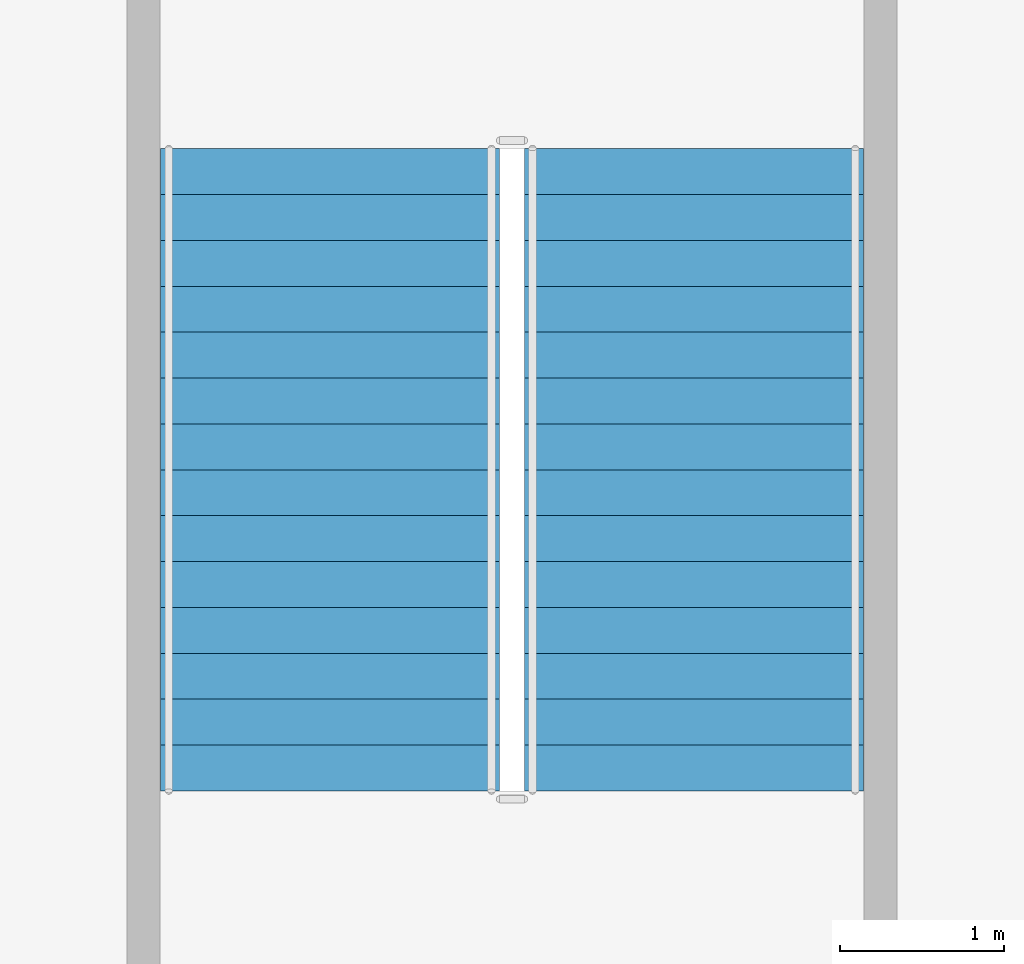
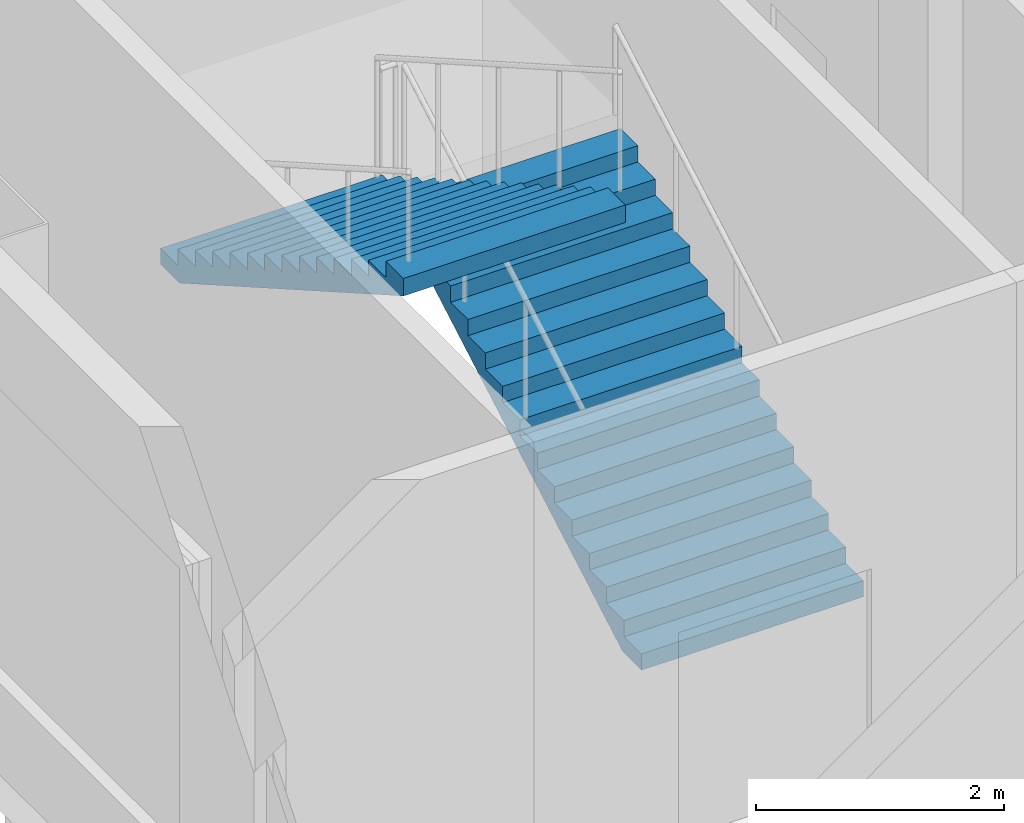
# One storey, part 15 of 23: 2 stair flights, 1 element without a shape of its own.
"""IFC4 building model written with IfcOpenShell, lengths in metres."""

from ifc_helpers import new_model, si_unit, direction, frame, origin, place, context, subcontext, project, spatial, polygons, material, type_object, element, aggregate, save


model = new_model("IFC4")

# Units and contexts
model_context = context("Model", 3, precision=1e-05, world=origin(), true_north=direction((0.0, 1.0)))
body_context = subcontext(model_context, "Body", "Model", "MODEL_VIEW")
ifc_project = project(units=[si_unit("LENGTHUNIT", "METRE"), si_unit("AREAUNIT", "SQUARE_METRE"), si_unit("VOLUMEUNIT", "CUBIC_METRE"), si_unit("PLANEANGLEUNIT", "RADIAN"), si_unit("MASSUNIT", "GRAM", prefix="KILO")], contexts=[model_context])

# Site, building, storey
site_placement = place(None, origin())
site = spatial("IfcSite", under=ifc_project, at=site_placement, CompositionType="ELEMENT")
building_placement = place(site_placement, origin())
building = spatial("IfcBuilding", under=site, at=building_placement, Name="Caravel Reach Hotel and Residences", CompositionType="ELEMENT")
storey_placement = place(building_placement, frame((0.0, 0.0, 24.0)))
storey = spatial("IfcBuildingStorey", under=building, at=storey_placement, Name="L04", CompositionType="ELEMENT", Elevation=24.0)

# Stair, stair flights
ifc_material_1 = material(Name="Concrete C40", Category="concrete")
stair_type = type_object("IfcStairType", Name="Core stair", PredefinedType="HALF_TURN_STAIR", material=ifc_material_1)
stair_placement = place(storey_placement, origin())
stair = element("IfcStair", 1, at=stair_placement, inside=storey, type_object=stair_type, Name="L04 Exit stair P5", PredefinedType="HALF_TURN_STAIR")
ifc_material_2 = material(Name="Concrete C40", Category="concrete")
stair_flight_type = type_object("IfcStairFlightType", Name="Core stair flight", PredefinedType="STRAIGHT", material=ifc_material_2)
stair_flight_1_placement = place(storey_placement, frame((1.360107421875, 42.68994140625, 0.0), z_axis=(0.0, 0.0, 1.0), x_axis=(0.0, 1.0, 0.0)))
stair_flight_1 = element("IfcStairFlight", 2, at=stair_flight_1_placement, type_object=stair_flight_type, Name="ST-P5 flight 1", NumberOfRisers=15, NumberOfTreads=14, PredefinedType="STRAIGHT", RiserHeight=0.16, TreadLength=0.28, context=body_context, shape_type="Tessellation", body=[
    polygons([(0.30213783309663755, 1.0350341796875, 0.0), (0.30213783309663755, 0.6900227864583333, 0.0), (0.30213783309663755, 0.34501139322916663, 0.0), (0.30213783309663755, 0.0, 0.0), (0.30213783309663755, -0.34501139322916674, 0.0), (0.30213783309663755, -0.6900227864583333, 0.0), (0.30213783309663755, -1.0350341796875, 0.0), (3.9210000000000003, 1.0350341796875, 2.0673498096590643), (3.9210000000000003, 0.6900227864583333, 2.0673498096590643), (3.9210000000000003, 0.34501139322916663, 2.0673498096590643), (3.9210000000000003, 0.0, 2.0673498096590643), (3.9210000000000003, -0.34501139322916674, 2.0673498096590643), (3.9210000000000003, -0.6900227864583333, 2.0673498096590643), (3.9210000000000003, -1.0350341796875, 2.0673498096590643), (3.9210000000000003, 1.0350341796875, 2.24), (3.9210000000000003, 0.6900227864583333, 2.24), (3.9210000000000003, 0.34501139322916663, 2.24), (3.9210000000000003, 0.0, 2.24), (3.9210000000000003, -0.34501139322916674, 2.24), (3.9210000000000003, -0.6900227864583333, 2.24), (3.9210000000000003, -1.0350341796875, 2.24), (3.6400000000000006, 1.0350341796875, 2.24), (3.6400000000000006, 0.6900227864583333, 2.24), (3.6400000000000006, 0.34501139322916663, 2.24), (3.6400000000000006, 0.0, 2.24), (3.6400000000000006, -0.34501139322916674, 2.24), (3.6400000000000006, -0.6900227864583333, 2.24), (3.6400000000000006, -1.0350341796875, 2.24), (3.6400000000000006, 1.0350341796875, 2.08), (3.6400000000000006, 0.6900227864583333, 2.08), (3.6400000000000006, 0.34501139322916663, 2.08), (3.6400000000000006, 0.0, 2.08), (3.6400000000000006, -0.34501139322916674, 2.08), (3.6400000000000006, -0.6900227864583333, 2.08), (3.6400000000000006, -1.0350341796875, 2.08), (3.3600000000000003, 1.0350341796875, 2.08), (3.3600000000000003, 0.6900227864583333, 2.08), (3.3600000000000003, 0.34501139322916663, 2.08), (3.3600000000000003, 0.0, 2.08), (3.3600000000000003, -0.34501139322916674, 2.08), (3.3600000000000003, -0.6900227864583333, 2.08), (3.3600000000000003, -1.0350341796875, 2.08), (3.3600000000000003, 1.0350341796875, 1.92), (3.3600000000000003, 0.6900227864583333, 1.92), (3.3600000000000003, 0.34501139322916663, 1.92), (3.3600000000000003, 0.0, 1.92), (3.3600000000000003, -0.34501139322916674, 1.92), (3.3600000000000003, -0.6900227864583333, 1.92), (3.3600000000000003, -1.0350341796875, 1.92), (3.08, 1.0350341796875, 1.92), (3.08, 0.6900227864583333, 1.92), (3.08, 0.34501139322916663, 1.92), (3.08, 0.0, 1.92), (3.08, -0.34501139322916674, 1.92), (3.08, -0.6900227864583333, 1.92), (3.08, -1.0350341796875, 1.92), (3.08, 1.0350341796875, 1.76), (3.08, 0.6900227864583333, 1.76), (3.08, 0.34501139322916663, 1.76), (3.08, 0.0, 1.76), (3.08, -0.34501139322916674, 1.76), (3.08, -0.6900227864583333, 1.76), (3.08, -1.0350341796875, 1.76), (2.8000000000000003, 1.0350341796875, 1.76), (2.8000000000000003, 0.6900227864583333, 1.76), (2.8000000000000003, 0.34501139322916663, 1.76), (2.8000000000000003, 0.0, 1.76), (2.8000000000000003, -0.34501139322916674, 1.76), (2.8000000000000003, -0.6900227864583333, 1.76), (2.8000000000000003, -1.0350341796875, 1.76), (2.8000000000000003, 1.0350341796875, 1.6), (2.8000000000000003, 0.6900227864583333, 1.6), (2.8000000000000003, 0.34501139322916663, 1.6), (2.8000000000000003, 0.0, 1.6), (2.8000000000000003, -0.34501139322916674, 1.6), (2.8000000000000003, -0.6900227864583333, 1.6), (2.8000000000000003, -1.0350341796875, 1.6), (2.5200000000000005, 1.0350341796875, 1.6), (2.5200000000000005, 0.6900227864583333, 1.6), (2.5200000000000005, 0.34501139322916663, 1.6), (2.5200000000000005, 0.0, 1.6), (2.5200000000000005, -0.34501139322916674, 1.6), (2.5200000000000005, -0.6900227864583333, 1.6), (2.5200000000000005, -1.0350341796875, 1.6), (2.5200000000000005, 1.0350341796875, 1.44), (2.5200000000000005, 0.6900227864583333, 1.44), (2.5200000000000005, 0.34501139322916663, 1.44), (2.5200000000000005, 0.0, 1.44), (2.5200000000000005, -0.34501139322916674, 1.44), (2.5200000000000005, -0.6900227864583333, 1.44), (2.5200000000000005, -1.0350341796875, 1.44), (2.24, 1.0350341796875, 1.44), (2.24, 0.6900227864583333, 1.44), (2.24, 0.34501139322916663, 1.44), (2.24, 0.0, 1.44), (2.24, -0.34501139322916674, 1.44), (2.24, -0.6900227864583333, 1.44), (2.24, -1.0350341796875, 1.44), (2.24, 1.0350341796875, 1.28), (2.24, 0.6900227864583333, 1.28), (2.24, 0.34501139322916663, 1.28), (2.24, 0.0, 1.28), (2.24, -0.34501139322916674, 1.28), (2.24, -0.6900227864583333, 1.28), (2.24, -1.0350341796875, 1.28), (1.9600000000000002, 1.0350341796875, 1.28), (1.9600000000000002, 0.6900227864583333, 1.28), (1.9600000000000002, 0.34501139322916663, 1.28), (1.9600000000000002, 0.0, 1.28), (1.9600000000000002, -0.34501139322916674, 1.28), (1.9600000000000002, -0.6900227864583333, 1.28), (1.9600000000000002, -1.0350341796875, 1.28), (1.9600000000000002, 1.0350341796875, 1.12), (1.9600000000000002, 0.6900227864583333, 1.12), (1.9600000000000002, 0.34501139322916663, 1.12), (1.9600000000000002, 0.0, 1.12), (1.9600000000000002, -0.34501139322916674, 1.12), (1.9600000000000002, -0.6900227864583333, 1.12), (1.9600000000000002, -1.0350341796875, 1.12), (1.6800000000000002, 1.0350341796875, 1.12), (1.6800000000000002, 0.6900227864583333, 1.12), (1.6800000000000002, 0.34501139322916663, 1.12), (1.6800000000000002, 0.0, 1.12), (1.6800000000000002, -0.34501139322916674, 1.12), (1.6800000000000002, -0.6900227864583333, 1.12), (1.6800000000000002, -1.0350341796875, 1.12), (1.6800000000000002, 1.0350341796875, 0.96), (1.6800000000000002, 0.6900227864583333, 0.96), (1.6800000000000002, 0.34501139322916663, 0.96), (1.6800000000000002, 0.0, 0.96), (1.6800000000000002, -0.34501139322916674, 0.96), (1.6800000000000002, -0.6900227864583333, 0.96), (1.6800000000000002, -1.0350341796875, 0.96), (1.4000000000000001, 1.0350341796875, 0.96), (1.4000000000000001, 0.6900227864583333, 0.96), (1.4000000000000001, 0.34501139322916663, 0.96), (1.4000000000000001, 0.0, 0.96), (1.4000000000000001, -0.34501139322916674, 0.96), (1.4000000000000001, -0.6900227864583333, 0.96), (1.4000000000000001, -1.0350341796875, 0.96), (1.4000000000000001, 1.0350341796875, 0.8), (1.4000000000000001, 0.6900227864583333, 0.8), (1.4000000000000001, 0.34501139322916663, 0.8), (1.4000000000000001, 0.0, 0.8), (1.4000000000000001, -0.34501139322916674, 0.8), (1.4000000000000001, -0.6900227864583333, 0.8), (1.4000000000000001, -1.0350341796875, 0.8), (1.12, 1.0350341796875, 0.8), (1.12, 0.6900227864583333, 0.8), (1.12, 0.34501139322916663, 0.8), (1.12, 0.0, 0.8), (1.12, -0.34501139322916674, 0.8), (1.12, -0.6900227864583333, 0.8), (1.12, -1.0350341796875, 0.8), (1.12, 1.0350341796875, 0.64), (1.12, 0.6900227864583333, 0.64), (1.12, 0.34501139322916663, 0.64), (1.12, 0.0, 0.64), (1.12, -0.34501139322916674, 0.64), (1.12, -0.6900227864583333, 0.64), (1.12, -1.0350341796875, 0.64), (0.8400000000000001, 1.0350341796875, 0.64), (0.8400000000000001, 0.6900227864583333, 0.64), (0.8400000000000001, 0.34501139322916663, 0.64), (0.8400000000000001, 0.0, 0.64), (0.8400000000000001, -0.34501139322916674, 0.64), (0.8400000000000001, -0.6900227864583333, 0.64), (0.8400000000000001, -1.0350341796875, 0.64), (0.8400000000000001, 1.0350341796875, 0.48), (0.8400000000000001, 0.6900227864583333, 0.48), (0.8400000000000001, 0.34501139322916663, 0.48), (0.8400000000000001, 0.0, 0.48), (0.8400000000000001, -0.34501139322916674, 0.48), (0.8400000000000001, -0.6900227864583333, 0.48), (0.8400000000000001, -1.0350341796875, 0.48), (0.56, 1.0350341796875, 0.48), (0.56, 0.6900227864583333, 0.48), (0.56, 0.34501139322916663, 0.48), (0.56, 0.0, 0.48), (0.56, -0.34501139322916674, 0.48), (0.56, -0.6900227864583333, 0.48), (0.56, -1.0350341796875, 0.48), (0.56, 1.0350341796875, 0.32), (0.56, 0.6900227864583333, 0.32), (0.56, 0.34501139322916663, 0.32), (0.56, 0.0, 0.32), (0.56, -0.34501139322916674, 0.32), (0.56, -0.6900227864583333, 0.32), (0.56, -1.0350341796875, 0.32), (0.28, 1.0350341796875, 0.32), (0.28, 0.6900227864583333, 0.32), (0.28, 0.34501139322916663, 0.32), (0.28, 0.0, 0.32), (0.28, -0.34501139322916674, 0.32), (0.28, -0.6900227864583333, 0.32), (0.28, -1.0350341796875, 0.32), (0.28, 1.0350341796875, 0.16), (0.28, 0.6900227864583333, 0.16), (0.28, 0.34501139322916663, 0.16), (0.28, 0.0, 0.16), (0.28, -0.34501139322916674, 0.16), (0.28, -0.6900227864583333, 0.16), (0.28, -1.0350341796875, 0.16), (-0.001, 1.0350341796875, 0.16), (-0.001, 0.6900227864583333, 0.16), (-0.001, 0.34501139322916663, 0.16), (-0.001, 0.0, 0.16), (-0.001, -0.34501139322916674, 0.16), (-0.001, -0.6900227864583333, 0.16), (-0.001, -1.0350341796875, 0.16), (-0.001, 1.0350341796875, 0.0), (-0.001, 0.6900227864583333, 0.0), (-0.001, 0.34501139322916663, 0.0), (-0.001, 0.0, 0.0), (-0.001, -0.34501139322916674, 0.0), (-0.001, -0.6900227864583333, 0.0), (-0.001, -1.0350341796875, 0.0)], [[[211, 204, 197, 190, 183, 176, 169, 162, 155, 148, 141, 134, 127, 120, 113, 106, 99, 92, 85, 78, 71, 64, 57, 50, 43, 36, 29, 22, 15, 8, 1]], [[7, 14, 21, 28, 35, 42, 49, 56, 63, 70, 77, 84, 91, 98, 105, 112, 119, 126, 133, 140, 147, 154, 161, 168, 175, 182, 189, 196, 203, 210, 217]], [[1, 8, 9, 2]], [[2, 9, 10, 3]], [[3, 10, 11, 4]], [[4, 11, 12, 5]], [[5, 12, 13, 6]], [[6, 13, 14, 7]], [[8, 15, 16, 9]], [[9, 16, 17, 10]], [[10, 17, 18, 11]], [[11, 18, 19, 12]], [[12, 19, 20, 13]], [[13, 20, 21, 14]], [[15, 22, 23, 16]], [[16, 23, 24, 17]], [[17, 24, 25, 18]], [[18, 25, 26, 19]], [[19, 26, 27, 20]], [[20, 27, 28, 21]], [[22, 29, 30, 23]], [[23, 30, 31, 24]], [[24, 31, 32, 25]], [[25, 32, 33, 26]], [[26, 33, 34, 27]], [[27, 34, 35, 28]], [[29, 36, 37, 30]], [[30, 37, 38, 31]], [[31, 38, 39, 32]], [[32, 39, 40, 33]], [[33, 40, 41, 34]], [[34, 41, 42, 35]], [[36, 43, 44, 37]], [[37, 44, 45, 38]], [[38, 45, 46, 39]], [[39, 46, 47, 40]], [[40, 47, 48, 41]], [[41, 48, 49, 42]], [[43, 50, 51, 44]], [[44, 51, 52, 45]], [[45, 52, 53, 46]], [[46, 53, 54, 47]], [[47, 54, 55, 48]], [[48, 55, 56, 49]], [[50, 57, 58, 51]], [[51, 58, 59, 52]], [[52, 59, 60, 53]], [[53, 60, 61, 54]], [[54, 61, 62, 55]], [[55, 62, 63, 56]], [[57, 64, 65, 58]], [[58, 65, 66, 59]], [[59, 66, 67, 60]], [[60, 67, 68, 61]], [[61, 68, 69, 62]], [[62, 69, 70, 63]], [[64, 71, 72, 65]], [[65, 72, 73, 66]], [[66, 73, 74, 67]], [[67, 74, 75, 68]], [[68, 75, 76, 69]], [[69, 76, 77, 70]], [[71, 78, 79, 72]], [[72, 79, 80, 73]], [[73, 80, 81, 74]], [[74, 81, 82, 75]], [[75, 82, 83, 76]], [[76, 83, 84, 77]], [[78, 85, 86, 79]], [[79, 86, 87, 80]], [[80, 87, 88, 81]], [[81, 88, 89, 82]], [[82, 89, 90, 83]], [[83, 90, 91, 84]], [[85, 92, 93, 86]], [[86, 93, 94, 87]], [[87, 94, 95, 88]], [[88, 95, 96, 89]], [[89, 96, 97, 90]], [[90, 97, 98, 91]], [[92, 99, 100, 93]], [[93, 100, 101, 94]], [[94, 101, 102, 95]], [[95, 102, 103, 96]], [[96, 103, 104, 97]], [[97, 104, 105, 98]], [[99, 106, 107, 100]], [[100, 107, 108, 101]], [[101, 108, 109, 102]], [[102, 109, 110, 103]], [[103, 110, 111, 104]], [[104, 111, 112, 105]], [[106, 113, 114, 107]], [[107, 114, 115, 108]], [[108, 115, 116, 109]], [[109, 116, 117, 110]], [[110, 117, 118, 111]], [[111, 118, 119, 112]], [[113, 120, 121, 114]], [[114, 121, 122, 115]], [[115, 122, 123, 116]], [[116, 123, 124, 117]], [[117, 124, 125, 118]], [[118, 125, 126, 119]], [[120, 127, 128, 121]], [[121, 128, 129, 122]], [[122, 129, 130, 123]], [[123, 130, 131, 124]], [[124, 131, 132, 125]], [[125, 132, 133, 126]], [[127, 134, 135, 128]], [[128, 135, 136, 129]], [[129, 136, 137, 130]], [[130, 137, 138, 131]], [[131, 138, 139, 132]], [[132, 139, 140, 133]], [[134, 141, 142, 135]], [[135, 142, 143, 136]], [[136, 143, 144, 137]], [[137, 144, 145, 138]], [[138, 145, 146, 139]], [[139, 146, 147, 140]], [[141, 148, 149, 142]], [[142, 149, 150, 143]], [[143, 150, 151, 144]], [[144, 151, 152, 145]], [[145, 152, 153, 146]], [[146, 153, 154, 147]], [[148, 155, 156, 149]], [[149, 156, 157, 150]], [[150, 157, 158, 151]], [[151, 158, 159, 152]], [[152, 159, 160, 153]], [[153, 160, 161, 154]], [[155, 162, 163, 156]], [[156, 163, 164, 157]], [[157, 164, 165, 158]], [[158, 165, 166, 159]], [[159, 166, 167, 160]], [[160, 167, 168, 161]], [[162, 169, 170, 163]], [[163, 170, 171, 164]], [[164, 171, 172, 165]], [[165, 172, 173, 166]], [[166, 173, 174, 167]], [[167, 174, 175, 168]], [[169, 176, 177, 170]], [[170, 177, 178, 171]], [[171, 178, 179, 172]], [[172, 179, 180, 173]], [[173, 180, 181, 174]], [[174, 181, 182, 175]], [[176, 183, 184, 177]], [[177, 184, 185, 178]], [[178, 185, 186, 179]], [[179, 186, 187, 180]], [[180, 187, 188, 181]], [[181, 188, 189, 182]], [[183, 190, 191, 184]], [[184, 191, 192, 185]], [[185, 192, 193, 186]], [[186, 193, 194, 187]], [[187, 194, 195, 188]], [[188, 195, 196, 189]], [[190, 197, 198, 191]], [[191, 198, 199, 192]], [[192, 199, 200, 193]], [[193, 200, 201, 194]], [[194, 201, 202, 195]], [[195, 202, 203, 196]], [[197, 204, 205, 198]], [[198, 205, 206, 199]], [[199, 206, 207, 200]], [[200, 207, 208, 201]], [[201, 208, 209, 202]], [[202, 209, 210, 203]], [[204, 211, 212, 205]], [[205, 212, 213, 206]], [[206, 213, 214, 207]], [[207, 214, 215, 208]], [[208, 215, 216, 209]], [[209, 216, 217, 210]], [[211, 1, 2, 212]], [[212, 2, 3, 213]], [[213, 3, 4, 214]], [[214, 4, 5, 215]], [[215, 5, 6, 216]], [[216, 6, 7, 217]]], closed=True),
])
stair_flight_2_placement = place(storey_placement, frame((-0.860107421875, 46.610107421875, 2.39990234375), z_axis=(0.0, 0.0, 1.0), x_axis=(0.0, -1.0, 0.0)))
stair_flight_2 = element("IfcStairFlight", 3, at=stair_flight_2_placement, type_object=stair_flight_type, Name="ST-P5 flight 2", NumberOfRisers=15, NumberOfTreads=14, PredefinedType="STRAIGHT", RiserHeight=0.16, TreadLength=0.28, context=body_context, shape_type="Tessellation", body=[
    polygons([(0.30213783309663755, 1.0350341796875, 0.0), (0.30213783309663755, 0.6900227864583333, 0.0), (0.30213783309663755, 0.34501139322916663, 0.0), (0.30213783309663755, 0.0, 0.0), (0.30213783309663755, -0.34501139322916674, 0.0), (0.30213783309663755, -0.6900227864583333, 0.0), (0.30213783309663755, -1.0350341796875, 0.0), (3.9210000000000003, 1.0350341796875, 2.0673498096590643), (3.9210000000000003, 0.6900227864583333, 2.0673498096590643), (3.9210000000000003, 0.34501139322916663, 2.0673498096590643), (3.9210000000000003, 0.0, 2.0673498096590643), (3.9210000000000003, -0.34501139322916674, 2.0673498096590643), (3.9210000000000003, -0.6900227864583333, 2.0673498096590643), (3.9210000000000003, -1.0350341796875, 2.0673498096590643), (3.9210000000000003, 1.0350341796875, 2.24), (3.9210000000000003, 0.6900227864583333, 2.24), (3.9210000000000003, 0.34501139322916663, 2.24), (3.9210000000000003, 0.0, 2.24), (3.9210000000000003, -0.34501139322916674, 2.24), (3.9210000000000003, -0.6900227864583333, 2.24), (3.9210000000000003, -1.0350341796875, 2.24), (3.6400000000000006, 1.0350341796875, 2.24), (3.6400000000000006, 0.6900227864583333, 2.24), (3.6400000000000006, 0.34501139322916663, 2.24), (3.6400000000000006, 0.0, 2.24), (3.6400000000000006, -0.34501139322916674, 2.24), (3.6400000000000006, -0.6900227864583333, 2.24), (3.6400000000000006, -1.0350341796875, 2.24), (3.6400000000000006, 1.0350341796875, 2.08), (3.6400000000000006, 0.6900227864583333, 2.08), (3.6400000000000006, 0.34501139322916663, 2.08), (3.6400000000000006, 0.0, 2.08), (3.6400000000000006, -0.34501139322916674, 2.08), (3.6400000000000006, -0.6900227864583333, 2.08), (3.6400000000000006, -1.0350341796875, 2.08), (3.3600000000000003, 1.0350341796875, 2.08), (3.3600000000000003, 0.6900227864583333, 2.08), (3.3600000000000003, 0.34501139322916663, 2.08), (3.3600000000000003, 0.0, 2.08), (3.3600000000000003, -0.34501139322916674, 2.08), (3.3600000000000003, -0.6900227864583333, 2.08), (3.3600000000000003, -1.0350341796875, 2.08), (3.3600000000000003, 1.0350341796875, 1.92), (3.3600000000000003, 0.6900227864583333, 1.92), (3.3600000000000003, 0.34501139322916663, 1.92), (3.3600000000000003, 0.0, 1.92), (3.3600000000000003, -0.34501139322916674, 1.92), (3.3600000000000003, -0.6900227864583333, 1.92), (3.3600000000000003, -1.0350341796875, 1.92), (3.08, 1.0350341796875, 1.92), (3.08, 0.6900227864583333, 1.92), (3.08, 0.34501139322916663, 1.92), (3.08, 0.0, 1.92), (3.08, -0.34501139322916674, 1.92), (3.08, -0.6900227864583333, 1.92), (3.08, -1.0350341796875, 1.92), (3.08, 1.0350341796875, 1.76), (3.08, 0.6900227864583333, 1.76), (3.08, 0.34501139322916663, 1.76), (3.08, 0.0, 1.76), (3.08, -0.34501139322916674, 1.76), (3.08, -0.6900227864583333, 1.76), (3.08, -1.0350341796875, 1.76), (2.8000000000000003, 1.0350341796875, 1.76), (2.8000000000000003, 0.6900227864583333, 1.76), (2.8000000000000003, 0.34501139322916663, 1.76), (2.8000000000000003, 0.0, 1.76), (2.8000000000000003, -0.34501139322916674, 1.76), (2.8000000000000003, -0.6900227864583333, 1.76), (2.8000000000000003, -1.0350341796875, 1.76), (2.8000000000000003, 1.0350341796875, 1.6), (2.8000000000000003, 0.6900227864583333, 1.6), (2.8000000000000003, 0.34501139322916663, 1.6), (2.8000000000000003, 0.0, 1.6), (2.8000000000000003, -0.34501139322916674, 1.6), (2.8000000000000003, -0.6900227864583333, 1.6), (2.8000000000000003, -1.0350341796875, 1.6), (2.5200000000000005, 1.0350341796875, 1.6), (2.5200000000000005, 0.6900227864583333, 1.6), (2.5200000000000005, 0.34501139322916663, 1.6), (2.5200000000000005, 0.0, 1.6), (2.5200000000000005, -0.34501139322916674, 1.6), (2.5200000000000005, -0.6900227864583333, 1.6), (2.5200000000000005, -1.0350341796875, 1.6), (2.5200000000000005, 1.0350341796875, 1.44), (2.5200000000000005, 0.6900227864583333, 1.44), (2.5200000000000005, 0.34501139322916663, 1.44), (2.5200000000000005, 0.0, 1.44), (2.5200000000000005, -0.34501139322916674, 1.44), (2.5200000000000005, -0.6900227864583333, 1.44), (2.5200000000000005, -1.0350341796875, 1.44), (2.24, 1.0350341796875, 1.44), (2.24, 0.6900227864583333, 1.44), (2.24, 0.34501139322916663, 1.44), (2.24, 0.0, 1.44), (2.24, -0.34501139322916674, 1.44), (2.24, -0.6900227864583333, 1.44), (2.24, -1.0350341796875, 1.44), (2.24, 1.0350341796875, 1.28), (2.24, 0.6900227864583333, 1.28), (2.24, 0.34501139322916663, 1.28), (2.24, 0.0, 1.28), (2.24, -0.34501139322916674, 1.28), (2.24, -0.6900227864583333, 1.28), (2.24, -1.0350341796875, 1.28), (1.9600000000000002, 1.0350341796875, 1.28), (1.9600000000000002, 0.6900227864583333, 1.28), (1.9600000000000002, 0.34501139322916663, 1.28), (1.9600000000000002, 0.0, 1.28), (1.9600000000000002, -0.34501139322916674, 1.28), (1.9600000000000002, -0.6900227864583333, 1.28), (1.9600000000000002, -1.0350341796875, 1.28), (1.9600000000000002, 1.0350341796875, 1.12), (1.9600000000000002, 0.6900227864583333, 1.12), (1.9600000000000002, 0.34501139322916663, 1.12), (1.9600000000000002, 0.0, 1.12), (1.9600000000000002, -0.34501139322916674, 1.12), (1.9600000000000002, -0.6900227864583333, 1.12), (1.9600000000000002, -1.0350341796875, 1.12), (1.6800000000000002, 1.0350341796875, 1.12), (1.6800000000000002, 0.6900227864583333, 1.12), (1.6800000000000002, 0.34501139322916663, 1.12), (1.6800000000000002, 0.0, 1.12), (1.6800000000000002, -0.34501139322916674, 1.12), (1.6800000000000002, -0.6900227864583333, 1.12), (1.6800000000000002, -1.0350341796875, 1.12), (1.6800000000000002, 1.0350341796875, 0.96), (1.6800000000000002, 0.6900227864583333, 0.96), (1.6800000000000002, 0.34501139322916663, 0.96), (1.6800000000000002, 0.0, 0.96), (1.6800000000000002, -0.34501139322916674, 0.96), (1.6800000000000002, -0.6900227864583333, 0.96), (1.6800000000000002, -1.0350341796875, 0.96), (1.4000000000000001, 1.0350341796875, 0.96), (1.4000000000000001, 0.6900227864583333, 0.96), (1.4000000000000001, 0.34501139322916663, 0.96), (1.4000000000000001, 0.0, 0.96), (1.4000000000000001, -0.34501139322916674, 0.96), (1.4000000000000001, -0.6900227864583333, 0.96), (1.4000000000000001, -1.0350341796875, 0.96), (1.4000000000000001, 1.0350341796875, 0.8), (1.4000000000000001, 0.6900227864583333, 0.8), (1.4000000000000001, 0.34501139322916663, 0.8), (1.4000000000000001, 0.0, 0.8), (1.4000000000000001, -0.34501139322916674, 0.8), (1.4000000000000001, -0.6900227864583333, 0.8), (1.4000000000000001, -1.0350341796875, 0.8), (1.12, 1.0350341796875, 0.8), (1.12, 0.6900227864583333, 0.8), (1.12, 0.34501139322916663, 0.8), (1.12, 0.0, 0.8), (1.12, -0.34501139322916674, 0.8), (1.12, -0.6900227864583333, 0.8), (1.12, -1.0350341796875, 0.8), (1.12, 1.0350341796875, 0.64), (1.12, 0.6900227864583333, 0.64), (1.12, 0.34501139322916663, 0.64), (1.12, 0.0, 0.64), (1.12, -0.34501139322916674, 0.64), (1.12, -0.6900227864583333, 0.64), (1.12, -1.0350341796875, 0.64), (0.8400000000000001, 1.0350341796875, 0.64), (0.8400000000000001, 0.6900227864583333, 0.64), (0.8400000000000001, 0.34501139322916663, 0.64), (0.8400000000000001, 0.0, 0.64), (0.8400000000000001, -0.34501139322916674, 0.64), (0.8400000000000001, -0.6900227864583333, 0.64), (0.8400000000000001, -1.0350341796875, 0.64), (0.8400000000000001, 1.0350341796875, 0.48), (0.8400000000000001, 0.6900227864583333, 0.48), (0.8400000000000001, 0.34501139322916663, 0.48), (0.8400000000000001, 0.0, 0.48), (0.8400000000000001, -0.34501139322916674, 0.48), (0.8400000000000001, -0.6900227864583333, 0.48), (0.8400000000000001, -1.0350341796875, 0.48), (0.56, 1.0350341796875, 0.48), (0.56, 0.6900227864583333, 0.48), (0.56, 0.34501139322916663, 0.48), (0.56, 0.0, 0.48), (0.56, -0.34501139322916674, 0.48), (0.56, -0.6900227864583333, 0.48), (0.56, -1.0350341796875, 0.48), (0.56, 1.0350341796875, 0.32), (0.56, 0.6900227864583333, 0.32), (0.56, 0.34501139322916663, 0.32), (0.56, 0.0, 0.32), (0.56, -0.34501139322916674, 0.32), (0.56, -0.6900227864583333, 0.32), (0.56, -1.0350341796875, 0.32), (0.28, 1.0350341796875, 0.32), (0.28, 0.6900227864583333, 0.32), (0.28, 0.34501139322916663, 0.32), (0.28, 0.0, 0.32), (0.28, -0.34501139322916674, 0.32), (0.28, -0.6900227864583333, 0.32), (0.28, -1.0350341796875, 0.32), (0.28, 1.0350341796875, 0.16), (0.28, 0.6900227864583333, 0.16), (0.28, 0.34501139322916663, 0.16), (0.28, 0.0, 0.16), (0.28, -0.34501139322916674, 0.16), (0.28, -0.6900227864583333, 0.16), (0.28, -1.0350341796875, 0.16), (-0.001, 1.0350341796875, 0.16), (-0.001, 0.6900227864583333, 0.16), (-0.001, 0.34501139322916663, 0.16), (-0.001, 0.0, 0.16), (-0.001, -0.34501139322916674, 0.16), (-0.001, -0.6900227864583333, 0.16), (-0.001, -1.0350341796875, 0.16), (-0.001, 1.0350341796875, 0.0), (-0.001, 0.6900227864583333, 0.0), (-0.001, 0.34501139322916663, 0.0), (-0.001, 0.0, 0.0), (-0.001, -0.34501139322916674, 0.0), (-0.001, -0.6900227864583333, 0.0), (-0.001, -1.0350341796875, 0.0)], [[[211, 204, 197, 190, 183, 176, 169, 162, 155, 148, 141, 134, 127, 120, 113, 106, 99, 92, 85, 78, 71, 64, 57, 50, 43, 36, 29, 22, 15, 8, 1]], [[7, 14, 21, 28, 35, 42, 49, 56, 63, 70, 77, 84, 91, 98, 105, 112, 119, 126, 133, 140, 147, 154, 161, 168, 175, 182, 189, 196, 203, 210, 217]], [[1, 8, 9, 2]], [[2, 9, 10, 3]], [[3, 10, 11, 4]], [[4, 11, 12, 5]], [[5, 12, 13, 6]], [[6, 13, 14, 7]], [[8, 15, 16, 9]], [[9, 16, 17, 10]], [[10, 17, 18, 11]], [[11, 18, 19, 12]], [[12, 19, 20, 13]], [[13, 20, 21, 14]], [[15, 22, 23, 16]], [[16, 23, 24, 17]], [[17, 24, 25, 18]], [[18, 25, 26, 19]], [[19, 26, 27, 20]], [[20, 27, 28, 21]], [[22, 29, 30, 23]], [[23, 30, 31, 24]], [[24, 31, 32, 25]], [[25, 32, 33, 26]], [[26, 33, 34, 27]], [[27, 34, 35, 28]], [[29, 36, 37, 30]], [[30, 37, 38, 31]], [[31, 38, 39, 32]], [[32, 39, 40, 33]], [[33, 40, 41, 34]], [[34, 41, 42, 35]], [[36, 43, 44, 37]], [[37, 44, 45, 38]], [[38, 45, 46, 39]], [[39, 46, 47, 40]], [[40, 47, 48, 41]], [[41, 48, 49, 42]], [[43, 50, 51, 44]], [[44, 51, 52, 45]], [[45, 52, 53, 46]], [[46, 53, 54, 47]], [[47, 54, 55, 48]], [[48, 55, 56, 49]], [[50, 57, 58, 51]], [[51, 58, 59, 52]], [[52, 59, 60, 53]], [[53, 60, 61, 54]], [[54, 61, 62, 55]], [[55, 62, 63, 56]], [[57, 64, 65, 58]], [[58, 65, 66, 59]], [[59, 66, 67, 60]], [[60, 67, 68, 61]], [[61, 68, 69, 62]], [[62, 69, 70, 63]], [[64, 71, 72, 65]], [[65, 72, 73, 66]], [[66, 73, 74, 67]], [[67, 74, 75, 68]], [[68, 75, 76, 69]], [[69, 76, 77, 70]], [[71, 78, 79, 72]], [[72, 79, 80, 73]], [[73, 80, 81, 74]], [[74, 81, 82, 75]], [[75, 82, 83, 76]], [[76, 83, 84, 77]], [[78, 85, 86, 79]], [[79, 86, 87, 80]], [[80, 87, 88, 81]], [[81, 88, 89, 82]], [[82, 89, 90, 83]], [[83, 90, 91, 84]], [[85, 92, 93, 86]], [[86, 93, 94, 87]], [[87, 94, 95, 88]], [[88, 95, 96, 89]], [[89, 96, 97, 90]], [[90, 97, 98, 91]], [[92, 99, 100, 93]], [[93, 100, 101, 94]], [[94, 101, 102, 95]], [[95, 102, 103, 96]], [[96, 103, 104, 97]], [[97, 104, 105, 98]], [[99, 106, 107, 100]], [[100, 107, 108, 101]], [[101, 108, 109, 102]], [[102, 109, 110, 103]], [[103, 110, 111, 104]], [[104, 111, 112, 105]], [[106, 113, 114, 107]], [[107, 114, 115, 108]], [[108, 115, 116, 109]], [[109, 116, 117, 110]], [[110, 117, 118, 111]], [[111, 118, 119, 112]], [[113, 120, 121, 114]], [[114, 121, 122, 115]], [[115, 122, 123, 116]], [[116, 123, 124, 117]], [[117, 124, 125, 118]], [[118, 125, 126, 119]], [[120, 127, 128, 121]], [[121, 128, 129, 122]], [[122, 129, 130, 123]], [[123, 130, 131, 124]], [[124, 131, 132, 125]], [[125, 132, 133, 126]], [[127, 134, 135, 128]], [[128, 135, 136, 129]], [[129, 136, 137, 130]], [[130, 137, 138, 131]], [[131, 138, 139, 132]], [[132, 139, 140, 133]], [[134, 141, 142, 135]], [[135, 142, 143, 136]], [[136, 143, 144, 137]], [[137, 144, 145, 138]], [[138, 145, 146, 139]], [[139, 146, 147, 140]], [[141, 148, 149, 142]], [[142, 149, 150, 143]], [[143, 150, 151, 144]], [[144, 151, 152, 145]], [[145, 152, 153, 146]], [[146, 153, 154, 147]], [[148, 155, 156, 149]], [[149, 156, 157, 150]], [[150, 157, 158, 151]], [[151, 158, 159, 152]], [[152, 159, 160, 153]], [[153, 160, 161, 154]], [[155, 162, 163, 156]], [[156, 163, 164, 157]], [[157, 164, 165, 158]], [[158, 165, 166, 159]], [[159, 166, 167, 160]], [[160, 167, 168, 161]], [[162, 169, 170, 163]], [[163, 170, 171, 164]], [[164, 171, 172, 165]], [[165, 172, 173, 166]], [[166, 173, 174, 167]], [[167, 174, 175, 168]], [[169, 176, 177, 170]], [[170, 177, 178, 171]], [[171, 178, 179, 172]], [[172, 179, 180, 173]], [[173, 180, 181, 174]], [[174, 181, 182, 175]], [[176, 183, 184, 177]], [[177, 184, 185, 178]], [[178, 185, 186, 179]], [[179, 186, 187, 180]], [[180, 187, 188, 181]], [[181, 188, 189, 182]], [[183, 190, 191, 184]], [[184, 191, 192, 185]], [[185, 192, 193, 186]], [[186, 193, 194, 187]], [[187, 194, 195, 188]], [[188, 195, 196, 189]], [[190, 197, 198, 191]], [[191, 198, 199, 192]], [[192, 199, 200, 193]], [[193, 200, 201, 194]], [[194, 201, 202, 195]], [[195, 202, 203, 196]], [[197, 204, 205, 198]], [[198, 205, 206, 199]], [[199, 206, 207, 200]], [[200, 207, 208, 201]], [[201, 208, 209, 202]], [[202, 209, 210, 203]], [[204, 211, 212, 205]], [[205, 212, 213, 206]], [[206, 213, 214, 207]], [[207, 214, 215, 208]], [[208, 215, 216, 209]], [[209, 216, 217, 210]], [[211, 1, 2, 212]], [[212, 2, 3, 213]], [[213, 3, 4, 214]], [[214, 4, 5, 215]], [[215, 5, 6, 216]], [[216, 6, 7, 217]]], closed=True),
])
aggregate(stair, [stair_flight_1, stair_flight_2])

save(model, "model.ifc")
